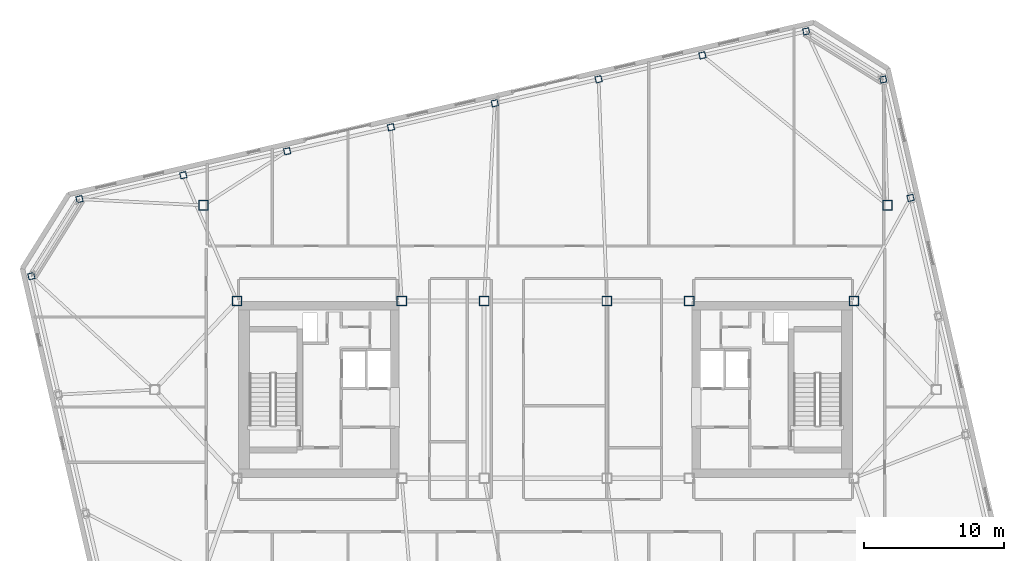
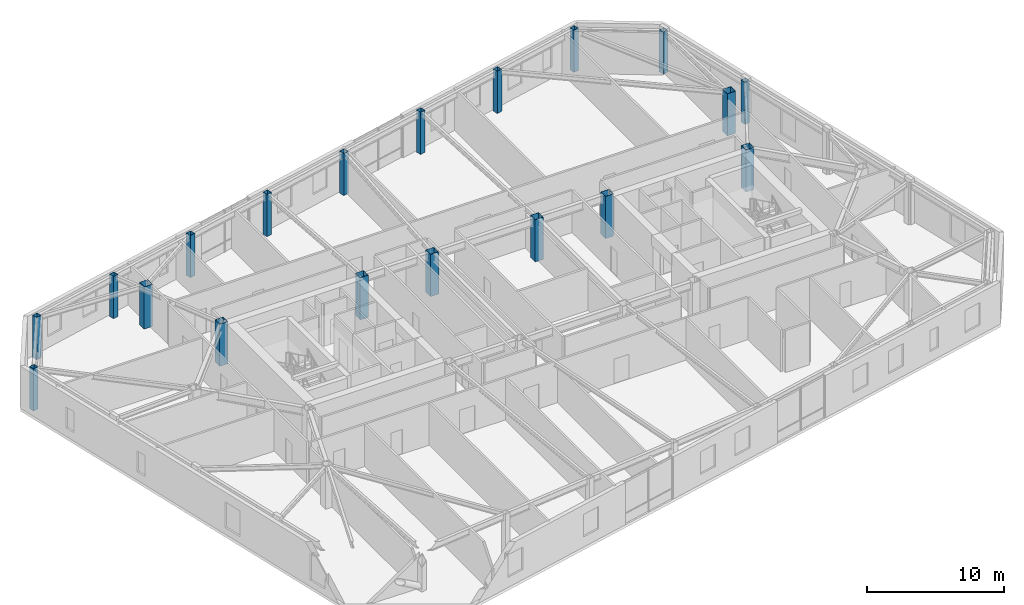
# One storey, part 2 of 23: 19 columns.
"""IFC4 building model written with IfcOpenShell, lengths in metres."""

from ifc_helpers import new_model, si_unit, direction, frame, origin, origin_2d, place, context, subcontext, project, spatial, hollow_rectangle, extrude, material, material_profile, profile_set, type_object, element, save


model = new_model("IFC4")

# Units and contexts
model_context = context("Model", 3, precision=1e-05, world=origin(), true_north=direction((0.0, 1.0)))
body_context = subcontext(model_context, "Body", "Model", "MODEL_VIEW")
ifc_project = project(units=[si_unit("LENGTHUNIT", "METRE"), si_unit("AREAUNIT", "SQUARE_METRE"), si_unit("VOLUMEUNIT", "CUBIC_METRE"), si_unit("PLANEANGLEUNIT", "RADIAN"), si_unit("MASSUNIT", "GRAM", prefix="KILO")], contexts=[model_context])

# Site, building, storey
site_placement = place(None, origin())
site = spatial("IfcSite", under=ifc_project, at=site_placement, CompositionType="ELEMENT")
building_placement = place(site_placement, origin())
building = spatial("IfcBuilding", under=site, at=building_placement, Name="Tavrogorsk Clinical Tower", CompositionType="ELEMENT")
storey_placement = place(building_placement, frame((0.0, 0.0, 293.0)))
storey = spatial("IfcBuildingStorey", under=building, at=storey_placement, Name="L68", CompositionType="ELEMENT", Elevation=293.0)

# Columns
ifc_material_1 = material(Name="Structural steel S440", Category="steel")
ifc_material_profile_1 = material_profile(ifc_material_1, hollow_rectangle(XDim=0.699951171875, YDim=0.699951171875, WallThickness=0.031982421875, at=origin_2d()), Name="BOX-700x700x32")
ifc_profile_set_1 = profile_set([ifc_material_profile_1], Name="Structural steel S440")
column_type_1 = type_object("IfcColumnType", Name="MegaCol_BOX700", PredefinedType="COLUMN", material=ifc_profile_set_1)
for number, where, z_axis, x_axis, name in (
    (1, (-22.10009765625, 6.35009765625, 0.0), (0.0, 0.0, 1.0), (1.0, 0.0, 0.0), "L68 Mega Column MC-W2"),
    (2, (-10.300048828125, 6.35009765625, 0.0), (0.0, 0.0, 1.0), (1.0, 0.0, 0.0), "L68 Mega Column MC-W4"),
    (3, (10.300048828125, 6.35009765625, 0.0), (0.0, 0.0, 1.0), (1.0, 0.0, 0.0), "L68 Mega Column MC-E2"),
    (4, (22.10009765625, 6.35009765625, 0.0), (0.0, 0.0, 1.0), (1.0, 0.0, 0.0), "L68 Mega Column MC-E4"),
    (5, (-4.39990234375, 6.35009765625, 0.0), (0.0, 0.0, 1.0), (1.0, 0.0, 0.0), "L68 Mega Column MC-C3"),
    (6, (4.39990234375, 6.35009765625, 0.0), (0.0, 0.0, 1.0), (1.0, 0.0, 0.0), "L68 Mega Column MC-C4"),
    (7, (-24.5, 13.199951171875, 0.0), (0.0, 0.0, 1.0), (1.0, 0.0, 0.0), "L68 Spine Pilotis Column MC-P3"),
    (8, (24.5, 13.199951171875, 0.0), (0.0, 0.0, 1.0), (1.0, 0.0, 0.0), "L68 Spine Pilotis Column MC-P4"),
):
    element("IfcColumn", number, at=place(storey_placement, frame(where, z_axis=z_axis, x_axis=x_axis)), inside=storey, type_object=column_type_1, Name=name, PredefinedType="COLUMN", context=body_context, shape_type="SweptSolid", body=[
        extrude(hollow_rectangle(XDim=0.699951171875, YDim=0.699951171875, WallThickness=0.031982421875, at=origin_2d()), origin(), (0.0, 0.0, 1.0), 3.739990234375),
    ])
ifc_material_2 = material(Name="Structural steel S440", Category="steel")
ifc_material_profile_2 = material_profile(ifc_material_2, hollow_rectangle(XDim=0.449951171875, YDim=0.449951171875, WallThickness=0.02197265625, at=origin_2d()), Name="BOX-450x450x22")
ifc_profile_set_2 = profile_set([ifc_material_profile_2], Name="Structural steel S440")
column_type_2 = type_object("IfcColumnType", Name="PerimCol_B5_BOX450", PredefinedType="COLUMN", material=ifc_profile_set_2)
for number, where, z_axis, x_axis, name in (
    (9, (18.681640625, 25.666259765625, 0.0), (0.0, 0.0, 1.0), (0.974370064785, 0.224951054344, 0.0), "L68 Perimeter Column N1"),
    (10, (11.2431640625, 23.948974609375, 0.0), (0.0, 0.0, 1.0), (0.974370064785, 0.224951054344, 0.0), "L68 Perimeter Column N2"),
    (11, (3.804443359375, 22.231689453125, 0.0), (0.0, 0.0, 1.0), (0.974370064785, 0.224951054344, 0.0), "L68 Perimeter Column N3"),
    (12, (-3.63427734375, 20.514404296875, 0.0), (0.0, 0.0, 1.0), (0.974370064785, 0.224951054344, 0.0), "L68 Perimeter Column N4"),
    (13, (-11.07275390625, 18.797119140625, 0.0), (0.0, 0.0, 1.0), (0.974370064785, 0.224951054344, 0.0), "L68 Perimeter Column N5"),
    (14, (-18.51123046875, 17.07958984375, 0.0), (0.0, 0.0, 1.0), (0.974370064785, 0.224951054344, 0.0), "L68 Perimeter Column N6"),
    (15, (-25.949951171875, 15.3623046875, 0.0), (0.0, 0.0, 1.0), (0.974370064785, 0.224951054344, 0.0), "L68 Perimeter Column N7"),
    (16, (-33.388671875, 13.64501953125, 0.0), (0.0, 0.0, 1.0), (0.974370064785, 0.224951054344, 0.0), "L68 Perimeter Column N8"),
    (17, (26.157958984375, 13.732177734375, 0.0), (0.0, 0.0, 1.0), (0.974370064785, 0.224951054344, 0.0), "L68 Perimeter Column E4"),
    (18, (24.198486328125, 22.218994140625, 0.0), (0.0, 0.0, 1.0), (0.974370064785, 0.224951054344, 0.0), "L68 Perimeter Column E5"),
    (19, (-36.8359375, 8.128173828125, 0.0), (0.0, 0.0, 1.0), (0.974370064785, 0.224951054344, 0.0), "L68 Perimeter Column W1"),
):
    element("IfcColumn", number, at=place(storey_placement, frame(where, z_axis=z_axis, x_axis=x_axis)), inside=storey, type_object=column_type_2, Name=name, PredefinedType="COLUMN", context=body_context, shape_type="SweptSolid", body=[
        extrude(hollow_rectangle(XDim=0.449951171875, YDim=0.449951171875, WallThickness=0.02197265625, at=origin_2d()), origin(), (0.0, 0.0, 1.0), 3.739990234375),
    ])

save(model, "model.ifc")
